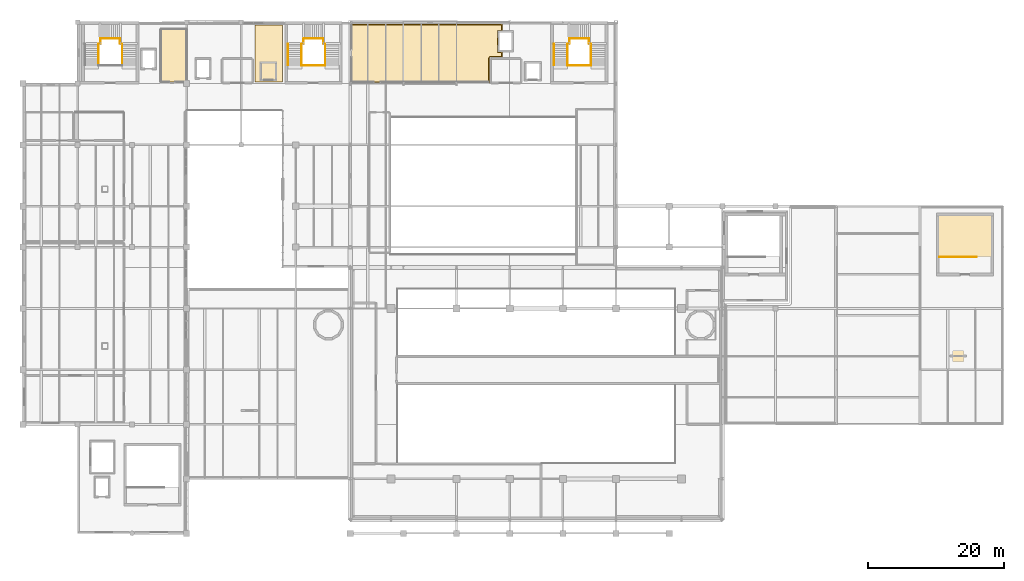
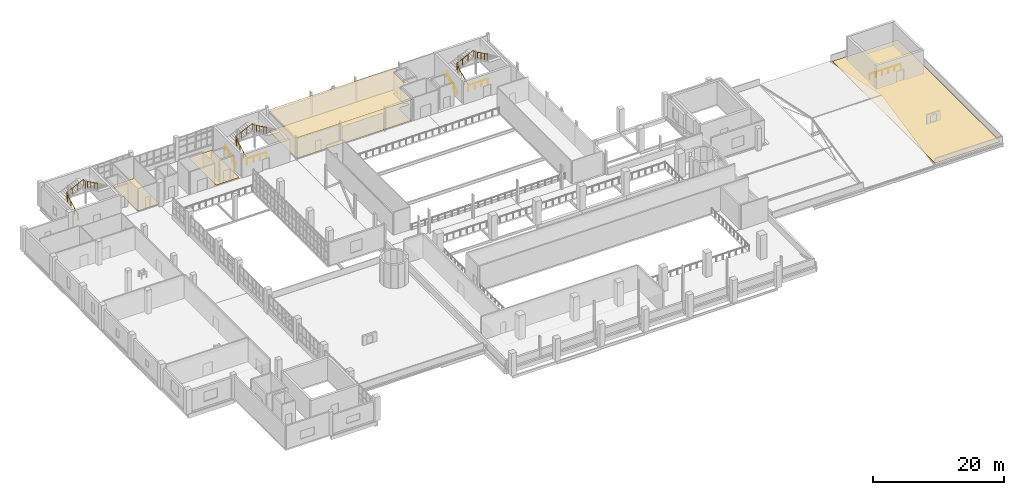
# One storey, part 85 of 85: 8 railings, 5 coverings.
"""IFC4 building model written with IfcOpenShell, lengths in metres."""

from ifc_helpers import new_model, si_unit, derived_unit, direction, frame, origin, origin_2d, place, context, subcontext, project, spatial, polyline, circle, outline, extrude, material, layer, layer_set, type_object, element, save


model = new_model("IFC4")

# Units and contexts
model_context = context("Model", 3, precision=1e-05, world=origin(), true_north=direction((0.0, 1.0)))
body_context = subcontext(model_context, "Body", "Model", "MODEL_VIEW")
ifc_project = project(units=[si_unit("LENGTHUNIT", "METRE"), si_unit("AREAUNIT", "SQUARE_METRE"), si_unit("VOLUMEUNIT", "CUBIC_METRE"), si_unit("PLANEANGLEUNIT", "RADIAN"), si_unit("MASSUNIT", "GRAM", prefix="KILO"), derived_unit("THERMALTRANSMITTANCEUNIT", [(si_unit("POWERUNIT", "WATT"), 1), (si_unit("LENGTHUNIT", "METRE"), -2), (si_unit("THERMODYNAMICTEMPERATUREUNIT", "KELVIN"), -1)])], contexts=[model_context])

# Site, building, storey
site_placement = place(None, origin())
site = spatial("IfcSite", under=ifc_project, at=site_placement, CompositionType="ELEMENT")
building_placement = place(site_placement, origin())
building = spatial("IfcBuilding", under=site, at=building_placement, Name="Nallur Shell Playhouse", CompositionType="ELEMENT")
storey_placement = place(building_placement, frame((0.0, 0.0, 19.800048828125)))
storey = spatial("IfcBuildingStorey", under=building, at=storey_placement, Name="L05", CompositionType="ELEMENT", Elevation=19.800048828125)

# Coverings
ifc_material_1 = material(Name="Mineral-Fibre High-NRC Suspended Ceiling Tile")
ifc_layer_1 = layer(ifc_material_1, 0.030029296875)
ifc_layer_set_1 = layer_set([ifc_layer_1], Name="Mineral-Fibre High-NRC Suspended Ceiling Tile")
covering_type_1 = type_object("IfcCoveringType", Name="CV-CEIL-AC2", PredefinedType="CEILING", material=ifc_layer_set_1)
covering_1_placement = place(storey_placement, frame((0.0, 0.0, 3.919921875)))
element("IfcCovering", 1, at=covering_1_placement, inside=storey, type_object=covering_type_1, Name="Climate-Controlled Costume Archive suspended acoustic ceiling", PredefinedType="CEILING", context=body_context, shape_type="SweptSolid", body=[
    extrude(outline(polyline([(86.31005859375, 78.68994140625), (86.31005859375, 77.8701171875), (84.60107421875, 77.8701171875), (84.59912109375, 77.8701171875), (84.585205078125, 77.869384765625), (84.580810546875, 77.868896484375), (84.569580078125, 77.8671875), (84.56494140625, 77.8662109375), (84.552978515625, 77.86328125), (84.548583984375, 77.86181640625), (84.537109375, 77.85791015625), (84.533447265625, 77.856201171875), (84.521728515625, 77.850830078125), (84.517822265625, 77.8486328125), (84.50732421875, 77.84228515625), (84.50341796875, 77.83984375), (84.494384765625, 77.8330078125), (84.490966796875, 77.830078125), (84.4814453125, 77.821533203125), (84.478515625, 77.818603515625), (84.4697265625, 77.80908203125), (84.466796875, 77.8056640625), (84.460205078125, 77.796630859375), (84.457763671875, 77.792724609375), (84.451416015625, 77.7822265625), (84.44921875, 77.7783203125), (84.443603515625, 77.7666015625), (84.442138671875, 77.7626953125), (84.43798828125, 77.75146484375), (84.436767578125, 77.7470703125), (84.433837890625, 77.735107421875), (84.432861328125, 77.73046875), (84.43115234375, 77.71923828125), (84.4306640625, 77.714599609375), (84.429931640625, 77.700927734375), (84.429931640625, 77.698974609375), (84.429931640625, 74.090087890625), (64.090087890625, 74.090087890625), (64.090087890625, 82.7099609375), (86.31005859375, 82.7099609375), (86.31005859375, 81.7099609375), (85.68994140625, 81.7099609375), (85.68994140625, 78.68994140625), (86.31005859375, 78.68994140625)])), origin(), (0.0, 0.0, 1.0), 0.030029296875),
])
ifc_material_2 = material(Name="Heavy-Duty Woven Wool Auditorium Acoustic Flooring")
ifc_layer_2 = layer(ifc_material_2, 0.02001953125)
ifc_layer_set_2 = layer_set([ifc_layer_2], Name="Heavy-Duty Woven Wool Auditorium Acoustic Flooring")
covering_type_2 = type_object("IfcCoveringType", Name="CV-FLOR-CARPET", PredefinedType="FLOORING", material=ifc_layer_set_2)
covering_2_placement = place(storey_placement, origin())
element("IfcCovering", 2, at=covering_2_placement, inside=storey, type_object=covering_type_2, Name="Orchestral Recording & Mastering Suite floor finish", PredefinedType="FLOORING", context=body_context, shape_type="SweptSolid", body=[
    extrude(outline(polyline([(54.10009765625, 74.199951171875), (50.0, 74.199951171875), (50.0, 82.60009765625), (54.10009765625, 82.60009765625), (54.10009765625, 74.199951171875)])), origin(), (0.0, 0.0, 1.0), 0.02001953125),
])
ifc_material_3 = material(Name="Polished Chettinad Oxide & White Marble Terrazzo Flooring", Category="masonry")
ifc_layer_3 = layer(ifc_material_3, 0.050048828125)
ifc_layer_set_3 = layer_set([ifc_layer_3], Name="Polished Chettinad Oxide & White Marble Terrazzo Flooring")
covering_type_3 = type_object("IfcCoveringType", Name="CV-FLOR-TERRAZZO", PredefinedType="FLOORING", material=ifc_layer_set_3)
covering_3_placement = place(storey_placement, origin())
element("IfcCovering", 3, at=covering_3_placement, inside=storey, type_object=covering_type_3, Name="Climate-Controlled Costume Archive floor finish", PredefinedType="FLOORING", context=body_context, shape_type="SweptSolid", body=[
    extrude(outline(polyline([(85.660400390625, 81.818115234375), (85.65087890625, 81.815673828125), (85.6416015625, 81.8125), (85.6328125, 81.80810546875), (85.62451171875, 81.802978515625), (85.61669921875, 81.79736328125), (85.609375, 81.790771484375), (85.602783203125, 81.783447265625), (85.596923828125, 81.775634765625), (85.591796875, 81.76708984375), (85.587646484375, 81.75830078125), (85.584228515625, 81.7490234375), (85.581787109375, 81.739501953125), (85.58056640625, 81.729736328125), (85.580078125, 81.719970703125), (85.580078125, 78.679931640625), (85.58056640625, 78.670166015625), (85.581787109375, 78.660400390625), (85.584228515625, 78.65087890625), (85.587646484375, 78.6416015625), (85.591796875, 78.6328125), (85.596923828125, 78.62451171875), (85.602783203125, 78.61669921875), (85.609375, 78.609375), (85.61669921875, 78.602783203125), (85.62451171875, 78.596923828125), (85.6328125, 78.591796875), (85.6416015625, 78.587646484375), (85.65087890625, 78.584228515625), (85.660400390625, 78.581787109375), (85.670166015625, 78.58056640625), (85.679931640625, 78.580078125), (86.199951171875, 78.580078125), (86.199951171875, 77.97998046875), (84.60009765625, 77.97998046875), (84.59521484375, 77.97998046875), (84.577392578125, 77.97900390625), (84.567626953125, 77.97802734375), (84.55029296875, 77.9755859375), (84.54052734375, 77.973388671875), (84.5234375, 77.96923828125), (84.51416015625, 77.96630859375), (84.497314453125, 77.96044921875), (84.48828125, 77.956787109375), (84.472412109375, 77.94921875), (84.463623046875, 77.944580078125), (84.448486328125, 77.935302734375), (84.4404296875, 77.929931640625), (84.42626953125, 77.91943359375), (84.418701171875, 77.9130859375), (84.405517578125, 77.9013671875), (84.398681640625, 77.894287109375), (84.38671875, 77.88134765625), (84.380615234375, 77.873779296875), (84.3701171875, 77.859619140625), (84.364501953125, 77.851318359375), (84.35546875, 77.836181640625), (84.350830078125, 77.82763671875), (84.34326171875, 77.8115234375), (84.339599609375, 77.802490234375), (84.33349609375, 77.785888671875), (84.330810546875, 77.776611328125), (84.326416015625, 77.759521484375), (84.324462890625, 77.749755859375), (84.322021484375, 77.732421875), (84.321044921875, 77.722412109375), (84.320068359375, 77.704833984375), (84.320068359375, 77.699951171875), (84.320068359375, 74.199951171875), (64.199951171875, 74.199951171875), (64.199951171875, 82.60009765625), (86.199951171875, 82.60009765625), (86.199951171875, 81.820068359375), (85.679931640625, 81.820068359375), (85.670166015625, 81.819580078125), (85.660400390625, 81.818115234375)])), origin(), (0.0, 0.0, 1.0), 0.050048828125),
])
covering_4_placement = place(storey_placement, origin())
element("IfcCovering", 4, at=covering_4_placement, inside=storey, type_object=covering_type_3, Name="Rehearsal Wing Restrooms floor finish", PredefinedType="FLOORING", context=body_context, shape_type="SweptSolid", body=[
    extrude(outline(polyline([(36.199951171875, 74.199951171875), (36.199951171875, 82.0), (40.0, 82.0), (40.0, 74.199951171875), (36.199951171875, 74.199951171875)])), origin(), (0.0, 0.0, 1.0), 0.050048828125),
])
ifc_material_4 = material(Name="TPO Reflective Waterproofing & Rigid PIR Roof Insulation")
ifc_layer_4 = layer(ifc_material_4, 0.06494140625)
ifc_layer_set_4 = layer_set([ifc_layer_4], Name="TPO Reflective Waterproofing & Rigid PIR Roof Insulation")
covering_type_4 = type_object("IfcCoveringType", Name="CV-ROOF-MEMB1", PredefinedType="ROOFING", material=ifc_layer_set_4)
covering_5_placement = place(storey_placement, origin())
element("IfcCovering", 5, at=covering_5_placement, inside=storey, type_object=covering_type_4, Name="L05 insulated waterproof roof covering 29", PredefinedType="ROOFING", context=body_context, shape_type="SweptSolid", body=[
    extrude(outline(polyline([(159.449951171875, 24.35009765625), (147.949951171875, 24.35009765625), (147.949951171875, 55.64990234375), (159.449951171875, 55.64990234375), (159.449951171875, 24.35009765625)])), origin(), (0.0, 0.0, 1.0), 0.06494140625),
])

# Railings
ifc_material_5 = material(Name="Brushed Stainless Steel 316 Balustrade & Toughened Infill", Category="steel")
railing_type_1 = type_object("IfcRailingType", Name="RL-GUARD-1100", PredefinedType="BALUSTRADE", material=ifc_material_5)
railing_1_placement = place(storey_placement, frame((56.860107421875, 76.699951171875, 0.0)))
element("IfcRailing", 6, at=railing_1_placement, inside=storey, type_object=railing_type_1, Name="Stair ST-03-L05 inner open-well guard", PredefinedType="BALUSTRADE", context=body_context, shape_type="SweptSolid", body=[
    extrude(circle(Radius=0.02392578125, at=origin_2d()), frame((0.0, 0.0, 1.15576171875), z_axis=(0.0, 0.897061799098, 0.441905112664), x_axis=(-1.0, 0.0, 0.0)), (0.0, 0.0, 1.0), 3.50048828125),
    extrude(circle(Radius=0.02392578125, at=origin_2d()), frame((0.0, 3.14013671875, 2.70263671875), z_axis=(1.0, 0.0, 0.0), x_axis=(0.0, 1.0, 0.0)), (0.0, 0.0, 1.0), 0.304931640625),
    extrude(circle(Radius=0.02392578125, at=origin_2d()), frame((0.304931640625, 3.14013671875, 2.70263671875), z_axis=(0.0, 1.0, 0.0), x_axis=(-1.0, 0.0, 0.0)), (0.0, 0.0, 1.0), 0.760009765625),
    extrude(circle(Radius=0.02392578125, at=origin_2d()), frame((0.304931640625, 3.900146484375, 2.70263671875), z_axis=(0.897988792334, 0.0, 0.440018327847), x_axis=(0.0, 1.0, 0.0)), (0.0, 0.0, 1.0), 3.19580078125),
    extrude(circle(Radius=0.02392578125, at=origin_2d()), frame((3.1748046875, 3.900146484375, 4.10888671875), z_axis=(0.0, -1.0, 0.0), x_axis=(1.0, 0.0, 0.0)), (0.0, 0.0, 1.0), 0.760009765625),
    extrude(circle(Radius=0.02392578125, at=origin_2d()), frame((3.1748046875, 3.14013671875, 4.10888671875), z_axis=(1.0, 0.0, 0.0), x_axis=(0.0, 1.0, 0.0)), (0.0, 0.0, 1.0), 0.30517578125),
    extrude(circle(Radius=0.02392578125, at=origin_2d()), frame((3.47998046875, 3.14013671875, 4.10888671875), z_axis=(0.0, -0.897061799098, 0.441905112664), x_axis=(1.0, 0.0, 0.0)), (0.0, 0.0, 1.0), 3.50048828125),
    extrude(circle(Radius=0.02099609375, at=origin_2d()), origin(), (0.0, 0.0, 1.0), 1.1318359375),
    extrude(circle(Radius=0.02099609375, at=origin_2d()), frame((0.0, 1.046630859375, 0.515625)), (0.0, 0.0, 1.0), 1.1318359375),
    extrude(circle(Radius=0.02099609375, at=origin_2d()), frame((0.0, 2.093505859375, 1.03125)), (0.0, 0.0, 1.0), 1.1318359375),
    extrude(circle(Radius=0.02099609375, at=origin_2d()), frame((0.0, 3.14013671875, 1.546875)), (0.0, 0.0, 1.0), 1.1318359375),
    extrude(circle(Radius=0.02099609375, at=origin_2d()), frame((0.304931640625, 3.14013671875, 1.546875)), (0.0, 0.0, 1.0), 1.1318359375),
    extrude(circle(Radius=0.02099609375, at=origin_2d()), frame((0.304931640625, 3.900146484375, 1.546875)), (0.0, 0.0, 1.0), 1.1318359375),
    extrude(circle(Radius=0.02099609375, at=origin_2d()), frame((1.261474609375, 3.900146484375, 2.015625)), (0.0, 0.0, 1.0), 1.1318359375),
    extrude(circle(Radius=0.02099609375, at=origin_2d()), frame((2.21826171875, 3.900146484375, 2.484375)), (0.0, 0.0, 1.0), 1.1318359375),
    extrude(circle(Radius=0.02099609375, at=origin_2d()), frame((3.1748046875, 3.900146484375, 2.953125)), (0.0, 0.0, 1.0), 1.1318359375),
    extrude(circle(Radius=0.02099609375, at=origin_2d()), frame((3.1748046875, 3.14013671875, 2.953125)), (0.0, 0.0, 1.0), 1.1318359375),
    extrude(circle(Radius=0.02099609375, at=origin_2d()), frame((3.47998046875, 3.14013671875, 2.953125)), (0.0, 0.0, 1.0), 1.1318359375),
    extrude(circle(Radius=0.02099609375, at=origin_2d()), frame((3.47998046875, 2.093505859375, 3.46875)), (0.0, 0.0, 1.0), 1.1318359375),
    extrude(circle(Radius=0.02099609375, at=origin_2d()), frame((3.47998046875, 1.046630859375, 3.984375)), (0.0, 0.0, 1.0), 1.1318359375),
    extrude(circle(Radius=0.02099609375, at=origin_2d()), frame((3.47998046875, 0.0, 4.5)), (0.0, 0.0, 1.0), 1.1318359375),
])
railing_2_placement = place(storey_placement, frame((56.860107421875, 76.639892578125, 0.0)))
element("IfcRailing", 7, at=railing_2_placement, inside=storey, type_object=railing_type_1, Name="Stair ST-03-L05 floor-well guard", PredefinedType="BALUSTRADE", context=body_context, shape_type="SweptSolid", body=[
    extrude(circle(Radius=0.02392578125, at=origin_2d()), frame((0.0, 0.0, 1.09619140625), z_axis=(1.0, 0.0, 0.0), x_axis=(0.0, 1.0, 0.0)), (0.0, 0.0, 1.0), 3.47998046875),
    extrude(circle(Radius=0.02099609375, at=origin_2d()), origin(), (0.0, 0.0, 1.0), 1.072021484375),
    extrude(circle(Radius=0.02099609375, at=origin_2d()), frame((1.159912109375, 0.0, 0.0)), (0.0, 0.0, 1.0), 1.072021484375),
    extrude(circle(Radius=0.02099609375, at=origin_2d()), frame((2.320068359375, 0.0, 0.0)), (0.0, 0.0, 1.0), 1.072021484375),
    extrude(circle(Radius=0.02099609375, at=origin_2d()), frame((3.47998046875, 0.0, 0.0)), (0.0, 0.0, 1.0), 1.072021484375),
])
railing_3_placement = place(storey_placement, frame((95.860107421875, 76.699951171875, 0.0)))
element("IfcRailing", 8, at=railing_3_placement, inside=storey, type_object=railing_type_1, Name="Stair ST-04-L05 inner open-well guard", PredefinedType="BALUSTRADE", context=body_context, shape_type="SweptSolid", body=[
    extrude(circle(Radius=0.02392578125, at=origin_2d()), frame((0.0, 0.0, 1.15576171875), z_axis=(0.0, 0.897061799098, 0.441905112664), x_axis=(-1.0, 0.0, 0.0)), (0.0, 0.0, 1.0), 3.50048828125),
    extrude(circle(Radius=0.02392578125, at=origin_2d()), frame((0.0, 3.14013671875, 2.70263671875), z_axis=(1.0, 0.0, 0.0), x_axis=(0.0, 1.0, 0.0)), (0.0, 0.0, 1.0), 0.304931640625),
    extrude(circle(Radius=0.02392578125, at=origin_2d()), frame((0.304931640625, 3.14013671875, 2.70263671875), z_axis=(0.0, 1.0, 0.0), x_axis=(-1.0, 0.0, 0.0)), (0.0, 0.0, 1.0), 0.760009765625),
    extrude(circle(Radius=0.02392578125, at=origin_2d()), frame((0.304931640625, 3.900146484375, 2.70263671875), z_axis=(0.897988792334, 0.0, 0.440018327847), x_axis=(0.0, 1.0, 0.0)), (0.0, 0.0, 1.0), 3.19580078125),
    extrude(circle(Radius=0.02392578125, at=origin_2d()), frame((3.1748046875, 3.900146484375, 4.10888671875), z_axis=(0.0, -1.0, 0.0), x_axis=(1.0, 0.0, 0.0)), (0.0, 0.0, 1.0), 0.760009765625),
    extrude(circle(Radius=0.02392578125, at=origin_2d()), frame((3.1748046875, 3.14013671875, 4.10888671875), z_axis=(1.0, 0.0, 0.0), x_axis=(0.0, 1.0, 0.0)), (0.0, 0.0, 1.0), 0.30517578125),
    extrude(circle(Radius=0.02392578125, at=origin_2d()), frame((3.47998046875, 3.14013671875, 4.10888671875), z_axis=(0.0, -0.897061799098, 0.441905112664), x_axis=(1.0, 0.0, 0.0)), (0.0, 0.0, 1.0), 3.50048828125),
    extrude(circle(Radius=0.02099609375, at=origin_2d()), origin(), (0.0, 0.0, 1.0), 1.1318359375),
    extrude(circle(Radius=0.02099609375, at=origin_2d()), frame((0.0, 1.046630859375, 0.515625)), (0.0, 0.0, 1.0), 1.1318359375),
    extrude(circle(Radius=0.02099609375, at=origin_2d()), frame((0.0, 2.093505859375, 1.03125)), (0.0, 0.0, 1.0), 1.1318359375),
    extrude(circle(Radius=0.02099609375, at=origin_2d()), frame((0.0, 3.14013671875, 1.546875)), (0.0, 0.0, 1.0), 1.1318359375),
    extrude(circle(Radius=0.02099609375, at=origin_2d()), frame((0.304931640625, 3.14013671875, 1.546875)), (0.0, 0.0, 1.0), 1.1318359375),
    extrude(circle(Radius=0.02099609375, at=origin_2d()), frame((0.304931640625, 3.900146484375, 1.546875)), (0.0, 0.0, 1.0), 1.1318359375),
    extrude(circle(Radius=0.02099609375, at=origin_2d()), frame((1.261474609375, 3.900146484375, 2.015625)), (0.0, 0.0, 1.0), 1.1318359375),
    extrude(circle(Radius=0.02099609375, at=origin_2d()), frame((2.21826171875, 3.900146484375, 2.484375)), (0.0, 0.0, 1.0), 1.1318359375),
    extrude(circle(Radius=0.02099609375, at=origin_2d()), frame((3.1748046875, 3.900146484375, 2.953125)), (0.0, 0.0, 1.0), 1.1318359375),
    extrude(circle(Radius=0.02099609375, at=origin_2d()), frame((3.1748046875, 3.14013671875, 2.953125)), (0.0, 0.0, 1.0), 1.1318359375),
    extrude(circle(Radius=0.02099609375, at=origin_2d()), frame((3.47998046875, 3.14013671875, 2.953125)), (0.0, 0.0, 1.0), 1.1318359375),
    extrude(circle(Radius=0.02099609375, at=origin_2d()), frame((3.47998046875, 2.093505859375, 3.46875)), (0.0, 0.0, 1.0), 1.1318359375),
    extrude(circle(Radius=0.02099609375, at=origin_2d()), frame((3.47998046875, 1.046630859375, 3.984375)), (0.0, 0.0, 1.0), 1.1318359375),
    extrude(circle(Radius=0.02099609375, at=origin_2d()), frame((3.47998046875, 0.0, 4.5)), (0.0, 0.0, 1.0), 1.1318359375),
])
railing_4_placement = place(storey_placement, frame((95.860107421875, 76.639892578125, 0.0)))
element("IfcRailing", 9, at=railing_4_placement, inside=storey, type_object=railing_type_1, Name="Stair ST-04-L05 floor-well guard", PredefinedType="BALUSTRADE", context=body_context, shape_type="SweptSolid", body=[
    extrude(circle(Radius=0.02392578125, at=origin_2d()), frame((0.0, 0.0, 1.09619140625), z_axis=(1.0, 0.0, 0.0), x_axis=(0.0, 1.0, 0.0)), (0.0, 0.0, 1.0), 3.47998046875),
    extrude(circle(Radius=0.02099609375, at=origin_2d()), origin(), (0.0, 0.0, 1.0), 1.072021484375),
    extrude(circle(Radius=0.02099609375, at=origin_2d()), frame((1.159912109375, 0.0, 0.0)), (0.0, 0.0, 1.0), 1.072021484375),
    extrude(circle(Radius=0.02099609375, at=origin_2d()), frame((2.320068359375, 0.0, 0.0)), (0.0, 0.0, 1.0), 1.072021484375),
    extrude(circle(Radius=0.02099609375, at=origin_2d()), frame((3.47998046875, 0.0, 0.0)), (0.0, 0.0, 1.0), 1.072021484375),
])
railing_5_placement = place(storey_placement, frame((150.43994140625, 48.5400390625, 0.0)))
element("IfcRailing", 10, at=railing_5_placement, inside=storey, type_object=railing_type_1, Name="Stair ST-05 top landing guardrail (L05)", PredefinedType="BALUSTRADE", context=body_context, shape_type="SweptSolid", body=[
    extrude(circle(Radius=0.02392578125, at=origin_2d()), frame((0.0, 0.0, 1.1357421875), z_axis=(1.0, 0.0, 0.0), x_axis=(0.0, 1.0, 0.0)), (0.0, 0.0, 1.0), 5.43994140625),
    extrude(circle(Radius=0.02099609375, at=origin_2d()), origin(), (0.0, 0.0, 1.0), 1.11181640625),
    extrude(circle(Radius=0.02099609375, at=origin_2d()), frame((1.087890625, 0.0, 0.0)), (0.0, 0.0, 1.0), 1.11181640625),
    extrude(circle(Radius=0.02099609375, at=origin_2d()), frame((2.176025390625, 0.0, 0.0)), (0.0, 0.0, 1.0), 1.11181640625),
    extrude(circle(Radius=0.02099609375, at=origin_2d()), frame((3.263916015625, 0.0, 0.0)), (0.0, 0.0, 1.0), 1.11181640625),
    extrude(circle(Radius=0.02099609375, at=origin_2d()), frame((4.35205078125, 0.0, 0.0)), (0.0, 0.0, 1.0), 1.11181640625),
    extrude(circle(Radius=0.02099609375, at=origin_2d()), frame((5.43994140625, 0.0, 0.0)), (0.0, 0.0, 1.0), 1.11181640625),
])
railing_6_placement = place(storey_placement, frame((27.06005859375, 76.699951171875, 0.0)))
element("IfcRailing", 11, at=railing_6_placement, inside=storey, type_object=railing_type_1, Name="Stair ST-06-L05 inner open-well guard", PredefinedType="BALUSTRADE", context=body_context, shape_type="SweptSolid", body=[
    extrude(circle(Radius=0.02392578125, at=origin_2d()), frame((0.0, 0.0, 1.15576171875), z_axis=(0.0, 0.897061799098, 0.441905112664), x_axis=(-1.0, 0.0, 0.0)), (0.0, 0.0, 1.0), 3.50048828125),
    extrude(circle(Radius=0.02392578125, at=origin_2d()), frame((0.0, 3.14013671875, 2.70263671875), z_axis=(1.0, 0.0, 0.0), x_axis=(0.0, 1.0, 0.0)), (0.0, 0.0, 1.0), 0.304931640625),
    extrude(circle(Radius=0.02392578125, at=origin_2d()), frame((0.304931640625, 3.14013671875, 2.70263671875), z_axis=(0.0, 1.0, 0.0), x_axis=(-1.0, 0.0, 0.0)), (0.0, 0.0, 1.0), 0.760009765625),
    extrude(circle(Radius=0.02392578125, at=origin_2d()), frame((0.304931640625, 3.900146484375, 2.70263671875), z_axis=(0.89800358155, 0.0, 0.439988144754), x_axis=(0.0, 1.0, 0.0)), (0.0, 0.0, 1.0), 3.196044921875),
    extrude(circle(Radius=0.02392578125, at=origin_2d()), frame((3.175048828125, 3.900146484375, 4.10888671875), z_axis=(0.0, -1.0, 0.0), x_axis=(1.0, 0.0, 0.0)), (0.0, 0.0, 1.0), 0.760009765625),
    extrude(circle(Radius=0.02392578125, at=origin_2d()), frame((3.175048828125, 3.14013671875, 4.10888671875), z_axis=(1.0, 0.0, 0.0), x_axis=(0.0, 1.0, 0.0)), (0.0, 0.0, 1.0), 0.304931640625),
    extrude(circle(Radius=0.02392578125, at=origin_2d()), frame((3.47998046875, 3.14013671875, 4.10888671875), z_axis=(0.0, -0.897061799098, 0.441905112664), x_axis=(1.0, 0.0, 0.0)), (0.0, 0.0, 1.0), 3.50048828125),
    extrude(circle(Radius=0.02099609375, at=origin_2d()), origin(), (0.0, 0.0, 1.0), 1.1318359375),
    extrude(circle(Radius=0.02099609375, at=origin_2d()), frame((0.0, 1.046630859375, 0.515625)), (0.0, 0.0, 1.0), 1.1318359375),
    extrude(circle(Radius=0.02099609375, at=origin_2d()), frame((0.0, 2.093505859375, 1.03125)), (0.0, 0.0, 1.0), 1.1318359375),
    extrude(circle(Radius=0.02099609375, at=origin_2d()), frame((0.0, 3.14013671875, 1.546875)), (0.0, 0.0, 1.0), 1.1318359375),
    extrude(circle(Radius=0.02099609375, at=origin_2d()), frame((0.304931640625, 3.14013671875, 1.546875)), (0.0, 0.0, 1.0), 1.1318359375),
    extrude(circle(Radius=0.02099609375, at=origin_2d()), frame((0.304931640625, 3.900146484375, 1.546875)), (0.0, 0.0, 1.0), 1.1318359375),
    extrude(circle(Radius=0.02099609375, at=origin_2d()), frame((1.26171875, 3.900146484375, 2.015625)), (0.0, 0.0, 1.0), 1.1318359375),
    extrude(circle(Radius=0.02099609375, at=origin_2d()), frame((2.21826171875, 3.900146484375, 2.484375)), (0.0, 0.0, 1.0), 1.1318359375),
    extrude(circle(Radius=0.02099609375, at=origin_2d()), frame((3.175048828125, 3.900146484375, 2.953125)), (0.0, 0.0, 1.0), 1.1318359375),
    extrude(circle(Radius=0.02099609375, at=origin_2d()), frame((3.175048828125, 3.14013671875, 2.953125)), (0.0, 0.0, 1.0), 1.1318359375),
    extrude(circle(Radius=0.02099609375, at=origin_2d()), frame((3.47998046875, 3.14013671875, 2.953125)), (0.0, 0.0, 1.0), 1.1318359375),
    extrude(circle(Radius=0.02099609375, at=origin_2d()), frame((3.47998046875, 2.093505859375, 3.46875)), (0.0, 0.0, 1.0), 1.1318359375),
    extrude(circle(Radius=0.02099609375, at=origin_2d()), frame((3.47998046875, 1.046630859375, 3.984375)), (0.0, 0.0, 1.0), 1.1318359375),
    extrude(circle(Radius=0.02099609375, at=origin_2d()), frame((3.47998046875, 0.0, 4.5)), (0.0, 0.0, 1.0), 1.1318359375),
])
ifc_material_6 = material(Name="Stainless Steel 316 Continuous Tubular Handrail", Category="steel")
railing_type_2 = type_object("IfcRailingType", Name="RL-HANDRAIL-900", PredefinedType="HANDRAIL", material=ifc_material_6)
for number, where, name in (
    (12, (54.8798828125, 76.699951171875, 0.0), "Stair ST-03-L05 outer handrail F1"),
    (13, (93.8798828125, 76.699951171875, 0.0), "Stair ST-04-L05 outer handrail F1"),
):
    element("IfcRailing", number, at=place(storey_placement, frame(where)), inside=storey, type_object=railing_type_2, Name=name, PredefinedType="HANDRAIL", context=body_context, shape_type="SweptSolid", body=[
        extrude(circle(Radius=0.02392578125, at=origin_2d()), frame((0.0, 0.0, 0.89599609375), z_axis=(0.0, 0.894793320535, 0.446480585833), x_axis=(-1.0, 0.0, 0.0)), (0.0, 0.0, 1.0), 3.464599609375),
        extrude(circle(Radius=0.02099609375, at=origin_2d()), origin(), (0.0, 0.0, 1.0), 0.871826171875),
        extrude(circle(Radius=0.02099609375, at=origin_2d()), frame((0.0, 1.033447265625, 0.515625)), (0.0, 0.0, 1.0), 0.871826171875),
        extrude(circle(Radius=0.02099609375, at=origin_2d()), frame((0.0, 2.066650390625, 1.03125)), (0.0, 0.0, 1.0), 0.871826171875),
        extrude(circle(Radius=0.02099609375, at=origin_2d()), frame((0.0, 3.10009765625, 1.546875)), (0.0, 0.0, 1.0), 0.871826171875),
    ])

save(model, "model.ifc")
